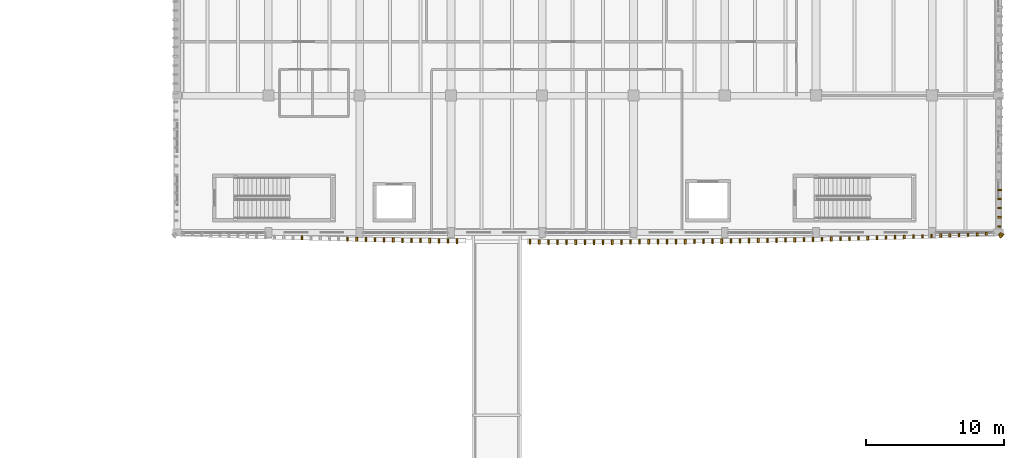
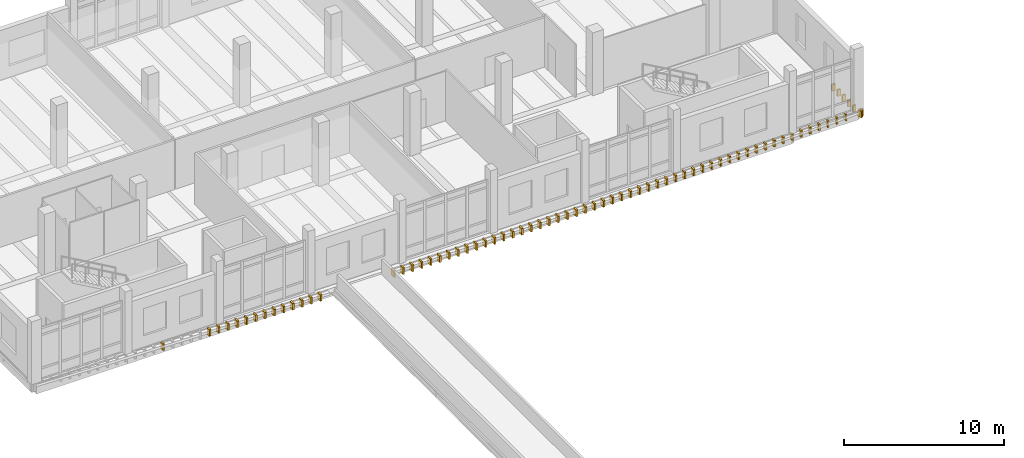
# One storey, part 99 of 101: 73 coverings.
"""IFC4 building model written with IfcOpenShell, lengths in metres."""

from ifc_helpers import new_model, si_unit, direction, frame, origin, origin_2d, place, context, subcontext, project, spatial, rectangle, extrude, material, layer, layer_set, type_object, element, save


model = new_model("IFC4")

# Units and contexts
model_context = context("Model", 3, precision=1e-05, world=origin(), true_north=direction((0.0, 1.0)))
body_context = subcontext(model_context, "Body", "Model", "MODEL_VIEW")
ifc_project = project(units=[si_unit("LENGTHUNIT", "METRE"), si_unit("AREAUNIT", "SQUARE_METRE"), si_unit("VOLUMEUNIT", "CUBIC_METRE"), si_unit("PLANEANGLEUNIT", "RADIAN"), si_unit("MASSUNIT", "GRAM", prefix="KILO")], contexts=[model_context])

# Site, building, storey
site_placement = place(None, origin())
site = spatial("IfcSite", under=ifc_project, at=site_placement, CompositionType="ELEMENT")
building_placement = place(site_placement, origin())
building = spatial("IfcBuilding", under=site, at=building_placement, Name="Dornvale Research Institute", CompositionType="ELEMENT")
storey_placement = place(building_placement, frame((0.0, 0.0, 10.199951171875)))
storey = spatial("IfcBuildingStorey", under=building, at=storey_placement, Name="L02", CompositionType="ELEMENT", Elevation=10.199951171875)

# Coverings
ifc_material = material(Name="Polychrome Glazed Terracotta Visor Rib Ceramic", Category="masonry")
ifc_layer = layer(ifc_material, 0.1201171875)
ifc_layer_set = layer_set([ifc_layer], Name="Polychrome Glazed Terracotta Visor Rib Ceramic")
covering_type = type_object("IfcCoveringType", Name="Covering_VisorBlade_Low", PredefinedType="CLADDING", material=ifc_layer_set)
covering_1_placement = place(storey_placement, frame((127.825439453125, 92.015869140625, -0.489990234375), z_axis=(0.0, 0.0, 1.0), x_axis=(0.0, 1.0, 0.0)))
element("IfcCovering", 1, at=covering_1_placement, inside=storey, type_object=covering_type, Name="L02 V4 canted glazed terracotta visor blade #2003", PredefinedType="CLADDING", context=body_context, shape_type="SweptSolid", body=[
    extrude(rectangle(XDim=0.281982421875, YDim=0.1201171875, at=origin_2d()), origin(), (0.0, 0.0, 1.0), 0.5),
])
covering_2_placement = place(storey_placement, frame((131.12451171875, 91.92626953125, -0.489990234375), z_axis=(0.0, 0.0, 1.0), x_axis=(0.0, 1.0, 0.0)))
element("IfcCovering", 2, at=covering_2_placement, inside=storey, type_object=covering_type, Name="L02 V4 canted glazed terracotta visor blade #2008", PredefinedType="CLADDING", context=body_context, shape_type="SweptSolid", body=[
    extrude(rectangle(XDim=0.304931640625, YDim=0.1201171875, at=origin_2d()), origin(), (0.0, 0.0, 1.0), 0.5),
])
covering_3_placement = place(storey_placement, frame((131.784423828125, 91.909912109375, -0.489990234375), z_axis=(0.0, 0.0, 1.0), x_axis=(0.0, 1.0, 0.0)))
element("IfcCovering", 3, at=covering_3_placement, inside=storey, type_object=covering_type, Name="L02 V4 canted glazed terracotta visor blade #2009", PredefinedType="CLADDING", context=body_context, shape_type="SweptSolid", body=[
    extrude(rectangle(XDim=0.30908203125, YDim=0.1201171875, at=origin_2d()), origin(), (0.0, 0.0, 1.0), 0.5),
])
covering_4_placement = place(storey_placement, frame((132.4443359375, 91.89453125, -0.489990234375), z_axis=(0.0, 0.0, 1.0), x_axis=(0.0, 1.0, 0.0)))
element("IfcCovering", 4, at=covering_4_placement, inside=storey, type_object=covering_type, Name="L02 V4 canted glazed terracotta visor blade #2010", PredefinedType="CLADDING", context=body_context, shape_type="SweptSolid", body=[
    extrude(rectangle(XDim=0.31298828125, YDim=0.1201171875, at=origin_2d()), origin(), (0.0, 0.0, 1.0), 0.5),
])
covering_5_placement = place(storey_placement, frame((133.104248046875, 91.879638671875, -0.489990234375), z_axis=(0.0, 0.0, 1.0), x_axis=(0.0, 1.0, 0.0)))
element("IfcCovering", 5, at=covering_5_placement, inside=storey, type_object=covering_type, Name="L02 V4 canted glazed terracotta visor blade #2011", PredefinedType="CLADDING", context=body_context, shape_type="SweptSolid", body=[
    extrude(rectangle(XDim=0.31689453125, YDim=0.1201171875, at=origin_2d()), origin(), (0.0, 0.0, 1.0), 0.5),
])
covering_6_placement = place(storey_placement, frame((133.763916015625, 91.864990234375, -0.489990234375), z_axis=(0.0, 0.0, 1.0), x_axis=(0.0, 1.0, 0.0)))
element("IfcCovering", 6, at=covering_6_placement, inside=storey, type_object=covering_type, Name="L02 V4 canted glazed terracotta visor blade #2012", PredefinedType="CLADDING", context=body_context, shape_type="SweptSolid", body=[
    extrude(rectangle(XDim=0.321044921875, YDim=0.1201171875, at=origin_2d()), origin(), (0.0, 0.0, 1.0), 0.5),
])
covering_7_placement = place(storey_placement, frame((134.423828125, 91.851806640625, -0.489990234375), z_axis=(0.0, 0.0, 1.0), x_axis=(0.0, 1.0, 0.0)))
element("IfcCovering", 7, at=covering_7_placement, inside=storey, type_object=covering_type, Name="L02 V4 canted glazed terracotta visor blade #2013", PredefinedType="CLADDING", context=body_context, shape_type="SweptSolid", body=[
    extrude(rectangle(XDim=0.323974609375, YDim=0.1201171875, at=origin_2d()), origin(), (0.0, 0.0, 1.0), 0.5),
])
covering_8_placement = place(storey_placement, frame((135.083740234375, 91.8388671875, -0.489990234375), z_axis=(0.0, 0.0, 1.0), x_axis=(0.0, 1.0, 0.0)))
element("IfcCovering", 8, at=covering_8_placement, inside=storey, type_object=covering_type, Name="L02 V4 canted glazed terracotta visor blade #2014", PredefinedType="CLADDING", context=body_context, shape_type="SweptSolid", body=[
    extrude(rectangle(XDim=0.326904296875, YDim=0.1201171875, at=origin_2d()), origin(), (0.0, 0.0, 1.0), 0.5),
])
covering_9_placement = place(storey_placement, frame((135.743896484375, 91.826904296875, -0.489990234375), z_axis=(0.0, 0.0, 1.0), x_axis=(0.0, 1.0, 0.0)))
element("IfcCovering", 9, at=covering_9_placement, inside=storey, type_object=covering_type, Name="L02 V4 canted glazed terracotta visor blade #2015", PredefinedType="CLADDING", context=body_context, shape_type="SweptSolid", body=[
    extrude(rectangle(XDim=0.330078125, YDim=0.1201171875, at=origin_2d()), origin(), (0.0, 0.0, 1.0), 0.5),
])
covering_10_placement = place(storey_placement, frame((136.40380859375, 91.815185546875, -0.489990234375), z_axis=(0.0, 0.0, 1.0), x_axis=(0.0, 1.0, 0.0)))
element("IfcCovering", 10, at=covering_10_placement, inside=storey, type_object=covering_type, Name="L02 V4 canted glazed terracotta visor blade #2016", PredefinedType="CLADDING", context=body_context, shape_type="SweptSolid", body=[
    extrude(rectangle(XDim=0.3330078125, YDim=0.1201171875, at=origin_2d()), origin(), (0.0, 0.0, 1.0), 0.5),
])
covering_11_placement = place(storey_placement, frame((137.063720703125, 91.8037109375, -0.489990234375), z_axis=(0.0, 0.0, 1.0), x_axis=(0.0, 1.0, 0.0)))
element("IfcCovering", 11, at=covering_11_placement, inside=storey, type_object=covering_type, Name="L02 V4 canted glazed terracotta visor blade #2017", PredefinedType="CLADDING", context=body_context, shape_type="SweptSolid", body=[
    extrude(rectangle(XDim=0.3359375, YDim=0.1201171875, at=origin_2d()), origin(), (0.0, 0.0, 1.0), 0.5),
])
covering_12_placement = place(storey_placement, frame((137.723388671875, 91.793212890625, -0.489990234375), z_axis=(0.0, 0.0, 1.0), x_axis=(0.0, 1.0, 0.0)))
element("IfcCovering", 12, at=covering_12_placement, inside=storey, type_object=covering_type, Name="L02 V4 canted glazed terracotta visor blade #2018", PredefinedType="CLADDING", context=body_context, shape_type="SweptSolid", body=[
    extrude(rectangle(XDim=0.339111328125, YDim=0.1201171875, at=origin_2d()), origin(), (0.0, 0.0, 1.0), 0.5),
])
covering_13_placement = place(storey_placement, frame((138.383544921875, 91.783447265625, -0.489990234375), z_axis=(0.0, 0.0, 1.0), x_axis=(0.0, 1.0, 0.0)))
element("IfcCovering", 13, at=covering_13_placement, inside=storey, type_object=covering_type, Name="L02 V4 canted glazed terracotta visor blade #2019", PredefinedType="CLADDING", context=body_context, shape_type="SweptSolid", body=[
    extrude(rectangle(XDim=0.341064453125, YDim=0.1201171875, at=origin_2d()), origin(), (0.0, 0.0, 1.0), 0.5),
])
covering_14_placement = place(storey_placement, frame((139.04345703125, 91.774169921875, -0.489990234375), z_axis=(0.0, 0.0, 1.0), x_axis=(0.0, 1.0, 0.0)))
element("IfcCovering", 14, at=covering_14_placement, inside=storey, type_object=covering_type, Name="L02 V4 canted glazed terracotta visor blade #2020", PredefinedType="CLADDING", context=body_context, shape_type="SweptSolid", body=[
    extrude(rectangle(XDim=0.343994140625, YDim=0.1201171875, at=origin_2d()), origin(), (0.0, 0.0, 1.0), 0.5),
])
covering_15_placement = place(storey_placement, frame((144.3232421875, 91.722900390625, -0.489990234375), z_axis=(0.0, 0.0, 1.0), x_axis=(0.0, 1.0, 0.0)))
element("IfcCovering", 15, at=covering_15_placement, inside=storey, type_object=covering_type, Name="L02 V4 canted glazed terracotta visor blade #2021", PredefinedType="CLADDING", context=body_context, shape_type="SweptSolid", body=[
    extrude(rectangle(XDim=0.35693359375, YDim=0.1201171875, at=origin_2d()), origin(), (0.0, 0.0, 1.0), 0.5),
])
covering_16_placement = place(storey_placement, frame((144.983154296875, 91.718994140625, -0.489990234375), z_axis=(0.0, 0.0, 1.0), x_axis=(0.0, 1.0, 0.0)))
element("IfcCovering", 16, at=covering_16_placement, inside=storey, type_object=covering_type, Name="L02 V4 canted glazed terracotta visor blade #2022", PredefinedType="CLADDING", context=body_context, shape_type="SweptSolid", body=[
    extrude(rectangle(XDim=0.35791015625, YDim=0.1201171875, at=origin_2d()), origin(), (0.0, 0.0, 1.0), 0.5),
])
for number, where, z_axis, x_axis, name in (
    (17, (145.643310546875, 91.7158203125, -0.489990234375), (0.0, 0.0, 1.0), (0.0, 1.0, 0.0), "L02 V4 canted glazed terracotta visor blade #2023"),
    (18, (146.30322265625, 91.7138671875, -0.489990234375), (0.0, 0.0, 1.0), (0.0, 1.0, 0.0), "L02 V4 canted glazed terracotta visor blade #2024"),
):
    element("IfcCovering", number, at=place(storey_placement, frame(where, z_axis=z_axis, x_axis=x_axis)), inside=storey, type_object=covering_type, Name=name, PredefinedType="CLADDING", context=body_context, shape_type="SweptSolid", body=[
        extrude(rectangle(XDim=0.35888671875, YDim=0.1201171875, at=origin_2d()), origin(), (0.0, 0.0, 1.0), 0.5),
    ])
for number, where, z_axis, x_axis, name in (
    (19, (146.963134765625, 91.711669921875, -0.489990234375), (0.0, 0.0, 1.0), (0.0, 1.0, 0.0), "L02 V4 canted glazed terracotta visor blade #2025"),
    (20, (147.623291015625, 91.7109375, -0.489990234375), (0.0, 0.0, 1.0), (0.0, 1.0, 0.0), "L02 V4 canted glazed terracotta visor blade #2026"),
    (21, (148.283203125, 91.710205078125, -0.489990234375), (0.0, 0.0, 1.0), (0.0, 1.0, 0.0), "L02 V4 canted glazed terracotta visor blade #2027"),
    (22, (148.943115234375, 91.71044921875, -0.489990234375), (0.0, 0.0, 1.0), (0.0, 1.0, 0.0), "L02 V4 canted glazed terracotta visor blade #2028"),
    (23, (149.603271484375, 91.711181640625, -0.489990234375), (0.0, 0.0, 1.0), (0.0, 1.0, 0.0), "L02 V4 canted glazed terracotta visor blade #2029"),
):
    element("IfcCovering", number, at=place(storey_placement, frame(where, z_axis=z_axis, x_axis=x_axis)), inside=storey, type_object=covering_type, Name=name, PredefinedType="CLADDING", context=body_context, shape_type="SweptSolid", body=[
        extrude(rectangle(XDim=0.360107421875, YDim=0.1201171875, at=origin_2d()), origin(), (0.0, 0.0, 1.0), 0.5),
    ])
for number, where, z_axis, x_axis, name in (
    (24, (150.26318359375, 91.71240234375, -0.489990234375), (0.0, 0.0, 1.0), (0.0, 1.0, 0.0), "L02 V4 canted glazed terracotta visor blade #2030"),
    (25, (150.923095703125, 91.714599609375, -0.489990234375), (0.0, 0.0, 1.0), (0.0, 1.0, 0.0), "L02 V4 canted glazed terracotta visor blade #2031"),
):
    element("IfcCovering", number, at=place(storey_placement, frame(where, z_axis=z_axis, x_axis=x_axis)), inside=storey, type_object=covering_type, Name=name, PredefinedType="CLADDING", context=body_context, shape_type="SweptSolid", body=[
        extrude(rectangle(XDim=0.35888671875, YDim=0.1201171875, at=origin_2d()), origin(), (0.0, 0.0, 1.0), 0.5),
    ])
covering_17_placement = place(storey_placement, frame((151.583251953125, 91.717041015625, -0.489990234375), z_axis=(0.0, 0.0, 1.0), x_axis=(0.0, 1.0, 0.0)))
element("IfcCovering", 26, at=covering_17_placement, inside=storey, type_object=covering_type, Name="L02 V4 canted glazed terracotta visor blade #2032", PredefinedType="CLADDING", context=body_context, shape_type="SweptSolid", body=[
    extrude(rectangle(XDim=0.35791015625, YDim=0.1201171875, at=origin_2d()), origin(), (0.0, 0.0, 1.0), 0.5),
])
covering_18_placement = place(storey_placement, frame((152.2431640625, 91.720703125, -0.489990234375), z_axis=(0.0, 0.0, 1.0), x_axis=(0.0, 1.0, 0.0)))
element("IfcCovering", 27, at=covering_18_placement, inside=storey, type_object=covering_type, Name="L02 V4 canted glazed terracotta visor blade #2033", PredefinedType="CLADDING", context=body_context, shape_type="SweptSolid", body=[
    extrude(rectangle(XDim=0.35693359375, YDim=0.1201171875, at=origin_2d()), origin(), (0.0, 0.0, 1.0), 0.5),
])
covering_19_placement = place(storey_placement, frame((152.9033203125, 91.724609375, -0.489990234375), z_axis=(0.0, 0.0, 1.0), x_axis=(0.0, 1.0, 0.0)))
element("IfcCovering", 28, at=covering_19_placement, inside=storey, type_object=covering_type, Name="L02 V4 canted glazed terracotta visor blade #2034", PredefinedType="CLADDING", context=body_context, shape_type="SweptSolid", body=[
    extrude(rectangle(XDim=0.35595703125, YDim=0.1201171875, at=origin_2d()), origin(), (0.0, 0.0, 1.0), 0.5),
])
covering_20_placement = place(storey_placement, frame((153.563232421875, 91.728515625, -0.489990234375), z_axis=(0.0, 0.0, 1.0), x_axis=(0.0, 1.0, 0.0)))
element("IfcCovering", 29, at=covering_20_placement, inside=storey, type_object=covering_type, Name="L02 V4 canted glazed terracotta visor blade #2035", PredefinedType="CLADDING", context=body_context, shape_type="SweptSolid", body=[
    extrude(rectangle(XDim=0.35498046875, YDim=0.1201171875, at=origin_2d()), origin(), (0.0, 0.0, 1.0), 0.5),
])
covering_21_placement = place(storey_placement, frame((154.22314453125, 91.73388671875, -0.489990234375), z_axis=(0.0, 0.0, 1.0), x_axis=(0.0, 1.0, 0.0)))
element("IfcCovering", 30, at=covering_21_placement, inside=storey, type_object=covering_type, Name="L02 V4 canted glazed terracotta visor blade #2036", PredefinedType="CLADDING", context=body_context, shape_type="SweptSolid", body=[
    extrude(rectangle(XDim=0.35400390625, YDim=0.1201171875, at=origin_2d()), origin(), (0.0, 0.0, 1.0), 0.5),
])
covering_22_placement = place(storey_placement, frame((154.883056640625, 91.739013671875, -0.489990234375), z_axis=(0.0, 0.0, 1.0), x_axis=(0.0, 1.0, 0.0)))
element("IfcCovering", 31, at=covering_22_placement, inside=storey, type_object=covering_type, Name="L02 V4 canted glazed terracotta visor blade #2037", PredefinedType="CLADDING", context=body_context, shape_type="SweptSolid", body=[
    extrude(rectangle(XDim=0.35302734375, YDim=0.1201171875, at=origin_2d()), origin(), (0.0, 0.0, 1.0), 0.5),
])
covering_23_placement = place(storey_placement, frame((155.543212890625, 91.745849609375, -0.489990234375), z_axis=(0.0, 0.0, 1.0), x_axis=(0.0, 1.0, 0.0)))
element("IfcCovering", 32, at=covering_23_placement, inside=storey, type_object=covering_type, Name="L02 V4 canted glazed terracotta visor blade #2038", PredefinedType="CLADDING", context=body_context, shape_type="SweptSolid", body=[
    extrude(rectangle(XDim=0.35107421875, YDim=0.1201171875, at=origin_2d()), origin(), (0.0, 0.0, 1.0), 0.5),
])
covering_24_placement = place(storey_placement, frame((156.203125, 91.7529296875, -0.489990234375), z_axis=(0.0, 0.0, 1.0), x_axis=(0.0, 1.0, 0.0)))
element("IfcCovering", 33, at=covering_24_placement, inside=storey, type_object=covering_type, Name="L02 V4 canted glazed terracotta visor blade #2039", PredefinedType="CLADDING", context=body_context, shape_type="SweptSolid", body=[
    extrude(rectangle(XDim=0.34912109375, YDim=0.1201171875, at=origin_2d()), origin(), (0.0, 0.0, 1.0), 0.5),
])
covering_25_placement = place(storey_placement, frame((156.863037109375, 91.76025390625, -0.489990234375), z_axis=(0.0, 0.0, 1.0), x_axis=(0.0, 1.0, 0.0)))
element("IfcCovering", 34, at=covering_25_placement, inside=storey, type_object=covering_type, Name="L02 V4 canted glazed terracotta visor blade #2040", PredefinedType="CLADDING", context=body_context, shape_type="SweptSolid", body=[
    extrude(rectangle(XDim=0.346923828125, YDim=0.1201171875, at=origin_2d()), origin(), (0.0, 0.0, 1.0), 0.5),
])
covering_26_placement = place(storey_placement, frame((157.52294921875, 91.768798828125, -0.489990234375), z_axis=(0.0, 0.0, 1.0), x_axis=(0.0, 1.0, 0.0)))
element("IfcCovering", 35, at=covering_26_placement, inside=storey, type_object=covering_type, Name="L02 V4 canted glazed terracotta visor blade #2041", PredefinedType="CLADDING", context=body_context, shape_type="SweptSolid", body=[
    extrude(rectangle(XDim=0.344970703125, YDim=0.1201171875, at=origin_2d()), origin(), (0.0, 0.0, 1.0), 0.5),
])
covering_27_placement = place(storey_placement, frame((158.18310546875, 91.777099609375, -0.489990234375), z_axis=(0.0, 0.0, 1.0), x_axis=(0.0, 1.0, 0.0)))
element("IfcCovering", 36, at=covering_27_placement, inside=storey, type_object=covering_type, Name="L02 V4 canted glazed terracotta visor blade #2042", PredefinedType="CLADDING", context=body_context, shape_type="SweptSolid", body=[
    extrude(rectangle(XDim=0.343017578125, YDim=0.1201171875, at=origin_2d()), origin(), (0.0, 0.0, 1.0), 0.5),
])
covering_28_placement = place(storey_placement, frame((158.843017578125, 91.78662109375, -0.489990234375), z_axis=(0.0, 0.0, 1.0), x_axis=(0.0, 1.0, 0.0)))
element("IfcCovering", 37, at=covering_28_placement, inside=storey, type_object=covering_type, Name="L02 V4 canted glazed terracotta visor blade #2043", PredefinedType="CLADDING", context=body_context, shape_type="SweptSolid", body=[
    extrude(rectangle(XDim=0.341064453125, YDim=0.1201171875, at=origin_2d()), origin(), (0.0, 0.0, 1.0), 0.5),
])
covering_29_placement = place(storey_placement, frame((159.5029296875, 91.796875, -0.489990234375), z_axis=(0.0, 0.0, 1.0), x_axis=(0.0, 1.0, 0.0)))
element("IfcCovering", 38, at=covering_29_placement, inside=storey, type_object=covering_type, Name="L02 V4 canted glazed terracotta visor blade #2044", PredefinedType="CLADDING", context=body_context, shape_type="SweptSolid", body=[
    extrude(rectangle(XDim=0.337890625, YDim=0.1201171875, at=origin_2d()), origin(), (0.0, 0.0, 1.0), 0.5),
])
covering_30_placement = place(storey_placement, frame((160.162841796875, 91.807373046875, -0.489990234375), z_axis=(0.0, 0.0, 1.0), x_axis=(0.0, 1.0, 0.0)))
element("IfcCovering", 39, at=covering_30_placement, inside=storey, type_object=covering_type, Name="L02 V4 canted glazed terracotta visor blade #2045", PredefinedType="CLADDING", context=body_context, shape_type="SweptSolid", body=[
    extrude(rectangle(XDim=0.3349609375, YDim=0.1201171875, at=origin_2d()), origin(), (0.0, 0.0, 1.0), 0.5),
])
covering_31_placement = place(storey_placement, frame((160.82275390625, 91.819091796875, -0.489990234375), z_axis=(0.0, 0.0, 1.0), x_axis=(0.0, 1.0, 0.0)))
element("IfcCovering", 40, at=covering_31_placement, inside=storey, type_object=covering_type, Name="L02 V4 canted glazed terracotta visor blade #2046", PredefinedType="CLADDING", context=body_context, shape_type="SweptSolid", body=[
    extrude(rectangle(XDim=0.33203125, YDim=0.1201171875, at=origin_2d()), origin(), (0.0, 0.0, 1.0), 0.5),
])
covering_32_placement = place(storey_placement, frame((161.482666015625, 91.830810546875, -0.489990234375), z_axis=(0.0, 0.0, 1.0), x_axis=(0.0, 1.0, 0.0)))
element("IfcCovering", 41, at=covering_32_placement, inside=storey, type_object=covering_type, Name="L02 V4 canted glazed terracotta visor blade #2047", PredefinedType="CLADDING", context=body_context, shape_type="SweptSolid", body=[
    extrude(rectangle(XDim=0.3291015625, YDim=0.1201171875, at=origin_2d()), origin(), (0.0, 0.0, 1.0), 0.5),
])
covering_33_placement = place(storey_placement, frame((162.142578125, 91.843505859375, -0.489990234375), z_axis=(0.0, 0.0, 1.0), x_axis=(0.0, 1.0, 0.0)))
element("IfcCovering", 42, at=covering_33_placement, inside=storey, type_object=covering_type, Name="L02 V4 canted glazed terracotta visor blade #2048", PredefinedType="CLADDING", context=body_context, shape_type="SweptSolid", body=[
    extrude(rectangle(XDim=0.325927734375, YDim=0.1201171875, at=origin_2d()), origin(), (0.0, 0.0, 1.0), 0.5),
])
covering_34_placement = place(storey_placement, frame((162.802490234375, 91.8564453125, -0.489990234375), z_axis=(0.0, 0.0, 1.0), x_axis=(0.0, 1.0, 0.0)))
element("IfcCovering", 43, at=covering_34_placement, inside=storey, type_object=covering_type, Name="L02 V4 canted glazed terracotta visor blade #2049", PredefinedType="CLADDING", context=body_context, shape_type="SweptSolid", body=[
    extrude(rectangle(XDim=0.322998046875, YDim=0.1201171875, at=origin_2d()), origin(), (0.0, 0.0, 1.0), 0.5),
])
covering_35_placement = place(storey_placement, frame((163.46240234375, 91.8701171875, -0.489990234375), z_axis=(0.0, 0.0, 1.0), x_axis=(0.0, 1.0, 0.0)))
element("IfcCovering", 44, at=covering_35_placement, inside=storey, type_object=covering_type, Name="L02 V4 canted glazed terracotta visor blade #2050", PredefinedType="CLADDING", context=body_context, shape_type="SweptSolid", body=[
    extrude(rectangle(XDim=0.319091796875, YDim=0.1201171875, at=origin_2d()), origin(), (0.0, 0.0, 1.0), 0.5),
])
covering_36_placement = place(storey_placement, frame((164.122314453125, 91.884521484375, -0.489990234375), z_axis=(0.0, 0.0, 1.0), x_axis=(0.0, 1.0, 0.0)))
element("IfcCovering", 45, at=covering_36_placement, inside=storey, type_object=covering_type, Name="L02 V4 canted glazed terracotta visor blade #2051", PredefinedType="CLADDING", context=body_context, shape_type="SweptSolid", body=[
    extrude(rectangle(XDim=0.31591796875, YDim=0.1201171875, at=origin_2d()), origin(), (0.0, 0.0, 1.0), 0.5),
])
covering_37_placement = place(storey_placement, frame((164.781982421875, 91.8994140625, -0.489990234375), z_axis=(0.0, 0.0, 1.0), x_axis=(0.0, 1.0, 0.0)))
element("IfcCovering", 46, at=covering_37_placement, inside=storey, type_object=covering_type, Name="L02 V4 canted glazed terracotta visor blade #2052", PredefinedType="CLADDING", context=body_context, shape_type="SweptSolid", body=[
    extrude(rectangle(XDim=0.31201171875, YDim=0.1201171875, at=origin_2d()), origin(), (0.0, 0.0, 1.0), 0.5),
])
covering_38_placement = place(storey_placement, frame((165.44189453125, 91.915283203125, -0.489990234375), z_axis=(0.0, 0.0, 1.0), x_axis=(0.0, 1.0, 0.0)))
element("IfcCovering", 47, at=covering_38_placement, inside=storey, type_object=covering_type, Name="L02 V4 canted glazed terracotta visor blade #2053", PredefinedType="CLADDING", context=body_context, shape_type="SweptSolid", body=[
    extrude(rectangle(XDim=0.30810546875, YDim=0.1201171875, at=origin_2d()), origin(), (0.0, 0.0, 1.0), 0.5),
])
covering_39_placement = place(storey_placement, frame((166.101806640625, 91.931640625, -0.489990234375), z_axis=(0.0, 0.0, 1.0), x_axis=(0.0, 1.0, 0.0)))
element("IfcCovering", 48, at=covering_39_placement, inside=storey, type_object=covering_type, Name="L02 V4 canted glazed terracotta visor blade #2054", PredefinedType="CLADDING", context=body_context, shape_type="SweptSolid", body=[
    extrude(rectangle(XDim=0.303955078125, YDim=0.1201171875, at=origin_2d()), origin(), (0.0, 0.0, 1.0), 0.5),
])
covering_40_placement = place(storey_placement, frame((166.76171875, 91.947998046875, -0.489990234375), z_axis=(0.0, 0.0, 1.0), x_axis=(0.0, 1.0, 0.0)))
element("IfcCovering", 49, at=covering_40_placement, inside=storey, type_object=covering_type, Name="L02 V4 canted glazed terracotta visor blade #2055", PredefinedType="CLADDING", context=body_context, shape_type="SweptSolid", body=[
    extrude(rectangle(XDim=0.300048828125, YDim=0.1201171875, at=origin_2d()), origin(), (0.0, 0.0, 1.0), 0.5),
])
covering_41_placement = place(storey_placement, frame((167.42138671875, 91.966064453125, -0.489990234375), z_axis=(0.0, 0.0, 1.0), x_axis=(0.0, 1.0, 0.0)))
element("IfcCovering", 50, at=covering_41_placement, inside=storey, type_object=covering_type, Name="L02 V4 canted glazed terracotta visor blade #2056", PredefinedType="CLADDING", context=body_context, shape_type="SweptSolid", body=[
    extrude(rectangle(XDim=0.294921875, YDim=0.1201171875, at=origin_2d()), origin(), (0.0, 0.0, 1.0), 0.5),
])
covering_42_placement = place(storey_placement, frame((168.081298828125, 91.984130859375, -0.489990234375), z_axis=(0.0, 0.0, 1.0), x_axis=(0.0, 1.0, 0.0)))
element("IfcCovering", 51, at=covering_42_placement, inside=storey, type_object=covering_type, Name="L02 V4 canted glazed terracotta visor blade #2057", PredefinedType="CLADDING", context=body_context, shape_type="SweptSolid", body=[
    extrude(rectangle(XDim=0.2900390625, YDim=0.1201171875, at=origin_2d()), origin(), (0.0, 0.0, 1.0), 0.5),
])
covering_43_placement = place(storey_placement, frame((168.7412109375, 92.002685546875, -0.489990234375), z_axis=(0.0, 0.0, 1.0), x_axis=(0.0, 1.0, 0.0)))
element("IfcCovering", 52, at=covering_43_placement, inside=storey, type_object=covering_type, Name="L02 V4 canted glazed terracotta visor blade #2058", PredefinedType="CLADDING", context=body_context, shape_type="SweptSolid", body=[
    extrude(rectangle(XDim=0.285888671875, YDim=0.1201171875, at=origin_2d()), origin(), (0.0, 0.0, 1.0), 0.5),
])
covering_44_placement = place(storey_placement, frame((169.40087890625, 92.022216796875, -0.489990234375), z_axis=(0.0, 0.0, 1.0), x_axis=(0.0, 1.0, 0.0)))
element("IfcCovering", 53, at=covering_44_placement, inside=storey, type_object=covering_type, Name="L02 V4 canted glazed terracotta visor blade #2059", PredefinedType="CLADDING", context=body_context, shape_type="SweptSolid", body=[
    extrude(rectangle(XDim=0.281005859375, YDim=0.1201171875, at=origin_2d()), origin(), (0.0, 0.0, 1.0), 0.5),
])
covering_45_placement = place(storey_placement, frame((170.060546875, 92.0419921875, -0.489990234375), z_axis=(0.0, 0.0, 1.0), x_axis=(0.0, 1.0, 0.0)))
element("IfcCovering", 54, at=covering_45_placement, inside=storey, type_object=covering_type, Name="L02 V4 canted glazed terracotta visor blade #2060", PredefinedType="CLADDING", context=body_context, shape_type="SweptSolid", body=[
    extrude(rectangle(XDim=0.27587890625, YDim=0.1201171875, at=origin_2d()), origin(), (0.0, 0.0, 1.0), 0.5),
])
covering_46_placement = place(storey_placement, frame((170.720458984375, 92.063232421875, -0.489990234375), z_axis=(0.0, 0.0, 1.0), x_axis=(0.0, 1.0, 0.0)))
element("IfcCovering", 55, at=covering_46_placement, inside=storey, type_object=covering_type, Name="L02 V4 canted glazed terracotta visor blade #2061", PredefinedType="CLADDING", context=body_context, shape_type="SweptSolid", body=[
    extrude(rectangle(XDim=0.27001953125, YDim=0.1201171875, at=origin_2d()), origin(), (0.0, 0.0, 1.0), 0.5),
])
covering_47_placement = place(storey_placement, frame((171.380126953125, 92.083984375, -0.489990234375), z_axis=(0.0, 0.0, 1.0), x_axis=(0.0, 1.0, 0.0)))
element("IfcCovering", 56, at=covering_47_placement, inside=storey, type_object=covering_type, Name="L02 V4 canted glazed terracotta visor blade #2062", PredefinedType="CLADDING", context=body_context, shape_type="SweptSolid", body=[
    extrude(rectangle(XDim=0.264892578125, YDim=0.1201171875, at=origin_2d()), origin(), (0.0, 0.0, 1.0), 0.5),
])
covering_48_placement = place(storey_placement, frame((172.039794921875, 92.105712890625, -0.489990234375), z_axis=(0.0, 0.0, 1.0), x_axis=(0.0, 1.0, 0.0)))
element("IfcCovering", 57, at=covering_48_placement, inside=storey, type_object=covering_type, Name="L02 V4 canted glazed terracotta visor blade #2063", PredefinedType="CLADDING", context=body_context, shape_type="SweptSolid", body=[
    extrude(rectangle(XDim=0.260009765625, YDim=0.1201171875, at=origin_2d()), origin(), (0.0, 0.0, 1.0), 0.5),
])
covering_49_placement = place(storey_placement, frame((172.699462890625, 92.12841796875, -0.489990234375), z_axis=(0.0, 0.0, 1.0), x_axis=(0.0, 1.0, 0.0)))
element("IfcCovering", 58, at=covering_49_placement, inside=storey, type_object=covering_type, Name="L02 V4 canted glazed terracotta visor blade #2064", PredefinedType="CLADDING", context=body_context, shape_type="SweptSolid", body=[
    extrude(rectangle(XDim=0.25390625, YDim=0.1201171875, at=origin_2d()), origin(), (0.0, 0.0, 1.0), 0.5),
])
covering_50_placement = place(storey_placement, frame((173.359130859375, 92.1513671875, -0.489990234375), z_axis=(0.0, 0.0, 1.0), x_axis=(0.0, 1.0, 0.0)))
element("IfcCovering", 59, at=covering_50_placement, inside=storey, type_object=covering_type, Name="L02 V4 canted glazed terracotta visor blade #2065", PredefinedType="CLADDING", context=body_context, shape_type="SweptSolid", body=[
    extrude(rectangle(XDim=0.248046875, YDim=0.1201171875, at=origin_2d()), origin(), (0.0, 0.0, 1.0), 0.5),
])
covering_51_placement = place(storey_placement, frame((174.018798828125, 92.175537109375, -0.489990234375), z_axis=(0.0, 0.0, 1.0), x_axis=(0.0, 1.0, 0.0)))
element("IfcCovering", 60, at=covering_51_placement, inside=storey, type_object=covering_type, Name="L02 V4 canted glazed terracotta visor blade #2066", PredefinedType="CLADDING", context=body_context, shape_type="SweptSolid", body=[
    extrude(rectangle(XDim=0.241943359375, YDim=0.1201171875, at=origin_2d()), origin(), (0.0, 0.0, 1.0), 0.5),
])
covering_52_placement = place(storey_placement, frame((174.6787109375, 92.199462890625, -0.489990234375), z_axis=(0.0, 0.0, 1.0), x_axis=(0.0, 1.0, 0.0)))
element("IfcCovering", 61, at=covering_52_placement, inside=storey, type_object=covering_type, Name="L02 V4 canted glazed terracotta visor blade #2067", PredefinedType="CLADDING", context=body_context, shape_type="SweptSolid", body=[
    extrude(rectangle(XDim=0.236083984375, YDim=0.1201171875, at=origin_2d()), origin(), (0.0, 0.0, 1.0), 0.5),
])
covering_53_placement = place(storey_placement, frame((175.338134765625, 92.22509765625, -0.489990234375), z_axis=(0.0, 0.0, 1.0), x_axis=(0.0, 1.0, 0.0)))
element("IfcCovering", 62, at=covering_53_placement, inside=storey, type_object=covering_type, Name="L02 V4 canted glazed terracotta visor blade #2068", PredefinedType="CLADDING", context=body_context, shape_type="SweptSolid", body=[
    extrude(rectangle(XDim=0.22900390625, YDim=0.1201171875, at=origin_2d()), origin(), (0.0, 0.0, 1.0), 0.5),
])
covering_54_placement = place(storey_placement, frame((175.997802734375, 92.25048828125, -0.489990234375), z_axis=(0.0, 0.0, 1.0), x_axis=(0.0, 1.0, 0.0)))
element("IfcCovering", 63, at=covering_54_placement, inside=storey, type_object=covering_type, Name="L02 V4 canted glazed terracotta visor blade #2069", PredefinedType="CLADDING", context=body_context, shape_type="SweptSolid", body=[
    extrude(rectangle(XDim=0.222900390625, YDim=0.1201171875, at=origin_2d()), origin(), (0.0, 0.0, 1.0), 0.5),
])
covering_55_placement = place(storey_placement, frame((176.657470703125, 92.276611328125, -0.489990234375), z_axis=(0.0, 0.0, 1.0), x_axis=(0.0, 1.0, 0.0)))
element("IfcCovering", 64, at=covering_55_placement, inside=storey, type_object=covering_type, Name="L02 V4 canted glazed terracotta visor blade #2070", PredefinedType="CLADDING", context=body_context, shape_type="SweptSolid", body=[
    extrude(rectangle(XDim=0.216064453125, YDim=0.1201171875, at=origin_2d()), origin(), (0.0, 0.0, 1.0), 0.5),
])
covering_56_placement = place(storey_placement, frame((177.31689453125, 92.3037109375, -0.489990234375), z_axis=(0.0, 0.0, 1.0), x_axis=(0.0, 1.0, 0.0)))
element("IfcCovering", 65, at=covering_56_placement, inside=storey, type_object=covering_type, Name="L02 V4 canted glazed terracotta visor blade #2071", PredefinedType="CLADDING", context=body_context, shape_type="SweptSolid", body=[
    extrude(rectangle(XDim=0.208984375, YDim=0.1201171875, at=origin_2d()), origin(), (0.0, 0.0, 1.0), 0.5),
])
covering_57_placement = place(storey_placement, frame((178.264892578125, 92.85009765625, -0.489990234375), z_axis=(0.0, 0.0, 1.0), x_axis=(1.0, 0.0, 0.0)))
element("IfcCovering", 66, at=covering_57_placement, inside=storey, type_object=covering_type, Name="L02 V4 canted glazed terracotta visor blade #2161", PredefinedType="CLADDING", context=body_context, shape_type="SweptSolid", body=[
    extrude(rectangle(XDim=0.2099609375, YDim=0.1201171875, at=origin_2d()), origin(), (0.0, 0.0, 1.0), 0.5),
])
covering_58_placement = place(storey_placement, frame((178.271484375, 93.510009765625, -0.489990234375), z_axis=(0.0, 0.0, 1.0), x_axis=(1.0, 0.0, 0.0)))
element("IfcCovering", 67, at=covering_58_placement, inside=storey, type_object=covering_type, Name="L02 V4 canted glazed terracotta visor blade #2162", PredefinedType="CLADDING", context=body_context, shape_type="SweptSolid", body=[
    extrude(rectangle(XDim=0.222900390625, YDim=0.1201171875, at=origin_2d()), origin(), (0.0, 0.0, 1.0), 0.5),
])
covering_59_placement = place(storey_placement, frame((178.278076171875, 94.169921875, -0.489990234375), z_axis=(0.0, 0.0, 1.0), x_axis=(1.0, 0.0, 0.0)))
element("IfcCovering", 68, at=covering_59_placement, inside=storey, type_object=covering_type, Name="L02 V4 canted glazed terracotta visor blade #2163", PredefinedType="CLADDING", context=body_context, shape_type="SweptSolid", body=[
    extrude(rectangle(XDim=0.236083984375, YDim=0.1201171875, at=origin_2d()), origin(), (0.0, 0.0, 1.0), 0.5),
])
covering_60_placement = place(storey_placement, frame((178.283935546875, 94.830078125, -0.489990234375), z_axis=(0.0, 0.0, 1.0), x_axis=(1.0, 0.0, 0.0)))
element("IfcCovering", 69, at=covering_60_placement, inside=storey, type_object=covering_type, Name="L02 V4 canted glazed terracotta visor blade #2164", PredefinedType="CLADDING", context=body_context, shape_type="SweptSolid", body=[
    extrude(rectangle(XDim=0.248046875, YDim=0.1201171875, at=origin_2d()), origin(), (0.0, 0.0, 1.0), 0.5),
])
covering_61_placement = place(storey_placement, frame((178.2900390625, 95.489990234375, -0.489990234375), z_axis=(0.0, 0.0, 1.0), x_axis=(1.0, 0.0, 0.0)))
element("IfcCovering", 70, at=covering_61_placement, inside=storey, type_object=covering_type, Name="L02 V4 canted glazed terracotta visor blade #2165", PredefinedType="CLADDING", context=body_context, shape_type="SweptSolid", body=[
    extrude(rectangle(XDim=0.260009765625, YDim=0.1201171875, at=origin_2d()), origin(), (0.0, 0.0, 1.0), 0.5),
])
for number, where, z_axis, x_axis, name in (
    (71, (178.309814453125, 92.164306640625, -0.489990234375), (0.0, 0.0, 1.0), (0.422618261741, -0.906307787037, 0.0), "L02 V4 corner-wrapping visor blade #2246"),
    (72, (178.3837890625, 92.21630859375, -0.489990234375), (0.0, 0.0, 1.0), (0.707106781187, -0.707106781187, 0.0), "L02 V4 corner-wrapping visor blade #2247"),
    (73, (178.435546875, 92.2900390625, -0.489990234375), (0.0, 0.0, 1.0), (0.906307787037, -0.422618261741, 0.0), "L02 V4 corner-wrapping visor blade #2248"),
):
    element("IfcCovering", number, at=place(storey_placement, frame(where, z_axis=z_axis, x_axis=x_axis)), inside=storey, type_object=covering_type, Name=name, PredefinedType="CLADDING", context=body_context, shape_type="SweptSolid", body=[
        extrude(rectangle(XDim=0.300048828125, YDim=0.1201171875, at=origin_2d()), origin(), (0.0, 0.0, 1.0), 0.5),
    ])

save(model, "model.ifc")
